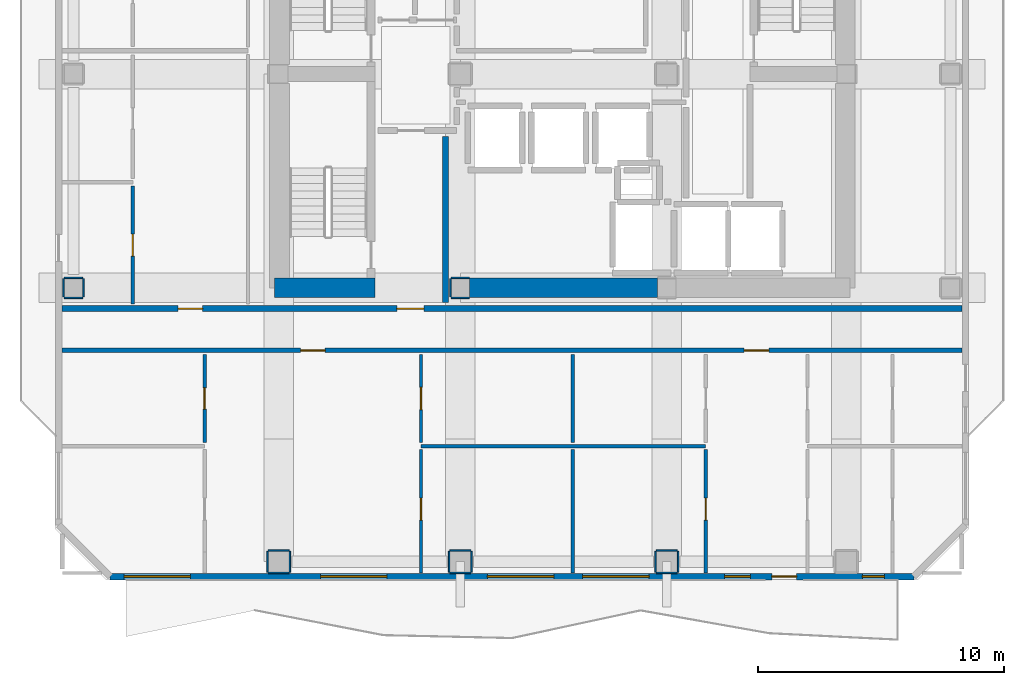
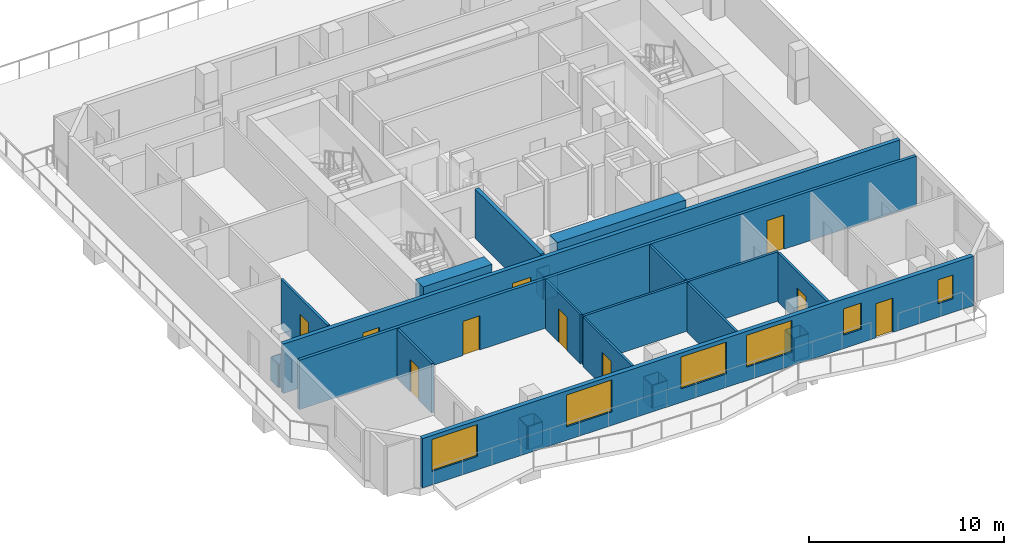
# One storey, part 2 of 10: 33 walls, 10 doors, 6 windows, 16 openings.
"""IFC4 building model written with IfcOpenShell, lengths in metres."""

import ifcopenshell
import ifcopenshell.guid

model = None  # the IFC model being written
_history = None  # IfcOwnerHistory: only IFC2X3 demands one
_inside = {}  # id of a spatial element -> (the spatial element, [elements in it])
_under = {}  # id of a project, library or spatial element -> (it, [spatial elements below it])
_declared = {}  # id of a project -> (the project, [libraries it declares])
_typed = {}  # id of a type object -> (the type object, [elements of that type])
_made_of = {}  # id of a material, layer set ... -> (it, [elements and type objects made of it])


def new_model(schema):
    """Start an empty IFC model of exactly this schema.

    Asked for "IFC4X3", IfcOpenShell would pick the latest addendum, in which some entities
    have other attributes; the version numbers below select the first issue.
    IFC2X3 requires an IfcOwnerHistory on every rooted entity: one is made here for all.
    """
    global model, _history
    if schema == "IFC4X3":
        model = ifcopenshell.file(schema_version=(4, 3, 0, 0))
    else:
        model = ifcopenshell.file(schema=schema)
    _inside.clear()
    _under.clear()
    _declared.clear()
    _typed.clear()
    _made_of.clear()
    _history = None
    if model.schema == "IFC2X3":
        org = make("IfcOrganization", Name="unknown")
        user = make(
            "IfcPersonAndOrganization",
            ThePerson=make("IfcPerson", FamilyName="unknown"),
            TheOrganization=org,
        )
        app = make(
            "IfcApplication",
            ApplicationDeveloper=org,
            Version="unknown",
            ApplicationFullName="unknown",
            ApplicationIdentifier="unknown",
        )
        _history = make(
            "IfcOwnerHistory",
            OwningUser=user,
            OwningApplication=app,
            ChangeAction="ADDED",
            CreationDate=0,
        )
    return model


def make(cls, **values):
    """One entity of the class cls with the attributes given. An attribute that is None is left unset."""
    return model.create_entity(
        cls, **{name: value for name, value in values.items() if value is not None}
    )


def rooted(cls, **values):
    """An entity with a GlobalId (a new one), such as an element, a storey or a relation."""
    return make(cls, GlobalId=ifcopenshell.guid.new(), OwnerHistory=_history, **values)


def si_unit(unit_type, name, prefix=None):
    """IfcSIUnit, for example si_unit("LENGTHUNIT", "METRE", prefix="MILLI")."""
    return make("IfcSIUnit", UnitType=unit_type, Prefix=prefix, Name=name)


def assignment(units):
    """IfcUnitAssignment: the units of a project."""
    return None if units is None else make("IfcUnitAssignment", Units=units)


def point(xyz):
    """IfcCartesianPoint."""
    return None if xyz is None else make("IfcCartesianPoint", Coordinates=xyz)


def direction(xyz):
    """IfcDirection."""
    return None if xyz is None else make("IfcDirection", DirectionRatios=xyz)


def frame(location, z_axis=None, x_axis=None):
    """IfcAxis2Placement3D, a coordinate frame: its origin and axes. An axis left out is left unset."""
    return make(
        "IfcAxis2Placement3D",
        Location=point(location),
        Axis=direction(z_axis),
        RefDirection=direction(x_axis),
    )


def frame_2d(location, x_axis=None):
    """IfcAxis2Placement2D, a coordinate frame in the plane: its origin and x axis."""
    return make(
        "IfcAxis2Placement2D", Location=point(location), RefDirection=direction(x_axis)
    )


def origin():
    """The frame at (0, 0, 0) with its axes left unset."""
    return frame((0.0, 0.0, 0.0))


def place(relative_to, where):
    """IfcLocalPlacement: puts the frame where relative to a parent placement (None: the world)."""
    return make(
        "IfcLocalPlacement", PlacementRelTo=relative_to, RelativePlacement=where
    )


def context(
    kind, dimensions, precision=None, world=None, true_north=None, identifier=None
):
    """IfcGeometricRepresentationContext, for example the 3D "Model" context."""
    return make(
        "IfcGeometricRepresentationContext",
        ContextIdentifier=identifier,
        ContextType=kind,
        CoordinateSpaceDimension=dimensions,
        Precision=precision,
        WorldCoordinateSystem=world,
        TrueNorth=true_north,
    )


def subcontext(parent, identifier, kind, view, scale=None):
    """IfcGeometricRepresentationSubContext, for example "Body" below "Model"."""
    return make(
        "IfcGeometricRepresentationSubContext",
        ContextIdentifier=identifier,
        ContextType=kind,
        ParentContext=parent,
        TargetScale=scale,
        TargetView=view,
    )


def project(units=None, contexts=None):
    """IfcProject with its units and contexts."""
    return rooted(
        "IfcProject",
        Name="project",
        RepresentationContexts=contexts,
        UnitsInContext=assignment(units),
    )


def spatial(cls, under=None, at=None, **own):
    """A site, building, storey or space (cls), placed at a placement, below another one or the project."""
    s = rooted(cls, ObjectPlacement=at, **own)
    if under is not None:
        _under.setdefault(under.id(), (under, []))[1].append(s)
    return s


def profile(cls, at=None, kind="AREA", **sizes):
    """A parametric profile (cls). Its sizes go by their IFC names, for example OverallWidth=200.0."""
    return make(cls, ProfileType=kind, Position=at, **sizes)


def rectangle(**sizes):
    """IfcRectangleProfileDef."""
    return profile("IfcRectangleProfileDef", **sizes)


def extrude(swept, where, along, depth):
    """IfcExtrudedAreaSolid: the profile swept, set in the frame where, extruded along a direction by depth."""
    return make(
        "IfcExtrudedAreaSolid",
        SweptArea=swept,
        Position=where,
        ExtrudedDirection=direction(along),
        Depth=depth,
    )


def shape(context_of_items, identifier, shape_type, items):
    """IfcShapeRepresentation: the items that make up one representation, for example the "Body"."""
    return make(
        "IfcShapeRepresentation",
        ContextOfItems=context_of_items,
        RepresentationIdentifier=identifier,
        RepresentationType=shape_type,
        Items=items,
    )


def material(Name=None, Category=None):
    """IfcMaterial."""
    return make("IfcMaterial", Name=Name, Category=Category)


def layer(
    of_material, thickness, ventilated=None, Name=None, Category=None, Priority=None
):
    """IfcMaterialLayer: one layer of a wall or slab, of a material (None: an air gap)."""
    return make(
        "IfcMaterialLayer",
        Material=of_material,
        LayerThickness=thickness,
        IsVentilated=ventilated,
        Name=Name,
        Category=Category,
        Priority=Priority,
    )


def layer_set(layers, Name=None):
    """IfcMaterialLayerSet."""
    return make("IfcMaterialLayerSet", MaterialLayers=layers, LayerSetName=Name)


def made_of(thing, what):
    """Note that an element or type object is made of a material, layer set ...; save() writes the relation."""
    if what is not None:
        _made_of.setdefault(what.id(), (what, []))[1].append(thing)
    return thing


def type_object(cls, material=None, **own):
    """A type object (cls), such as IfcWallType, which elements share."""
    return made_of(rooted(cls, **own), material)


def element(
    cls,
    number,
    at=None,
    inside=None,
    cuts=None,
    type_object=None,
    material=None,
    context=None,
    identifier="Body",
    shape_type=None,
    held_by="IfcProductDefinitionShape",
    body=None,
    shapes=None,
    **own,
):
    """One element of the class cls, such as IfcWall. Its Tag is "e" and its number.

    at: its placement. inside: the storey or other place that contains it. cuts: it is an
    opening in that element (IfcRelVoidsElement). A single representation is given by context,
    identifier, shape_type and body (its items); several are given by shapes. held_by: the class
    of the entity that holds the representations. save() writes the other relations.
    """
    e = rooted(cls, Tag="e%d" % number, ObjectPlacement=at, **own)
    if body is not None:
        shapes = [shape(context, identifier, shape_type, body)]
    if shapes is not None:
        e.Representation = make(held_by, Representations=shapes)
    if inside is not None:
        _inside.setdefault(inside.id(), (inside, []))[1].append(e)
    if cuts is not None:
        rooted(
            "IfcRelVoidsElement", RelatingBuildingElement=cuts, RelatedOpeningElement=e
        )
    if type_object is not None:
        _typed.setdefault(type_object.id(), (type_object, []))[1].append(e)
    return made_of(e, material)


def fill(opening, filler):
    """IfcRelFillsElement: the door or window that sits in an opening."""
    return rooted(
        "IfcRelFillsElement",
        RelatingOpeningElement=opening,
        RelatedBuildingElement=filler,
    )


def aggregate(whole, parts):
    """IfcRelAggregates: a whole, such as a stair, and the parts it consists of."""
    return rooted("IfcRelAggregates", RelatingObject=whole, RelatedObjects=parts)


def save(model, path):
    """Write the relations noted so far, then the file.

    IfcRelAggregates (storeys below a building ...), IfcRelContainedInSpatialStructure (elements
    in a storey), IfcRelDefinesByType, IfcRelAssociatesMaterial and IfcRelDeclares: one each for
    every whole, place, type object, material and project.
    """
    for whole, parts in _under.values():
        aggregate(whole, parts)
    for where, things in _inside.values():
        rooted(
            "IfcRelContainedInSpatialStructure",
            RelatedElements=things,
            RelatingStructure=where,
        )
    for kind, things in _typed.values():
        rooted("IfcRelDefinesByType", RelatedObjects=things, RelatingType=kind)
    for what, things in _made_of.values():
        rooted("IfcRelAssociatesMaterial", RelatedObjects=things, RelatingMaterial=what)
    for by, libraries in _declared.values():
        rooted("IfcRelDeclares", RelatingContext=by, RelatedDefinitions=libraries)
    model.write(path)


model = new_model("IFC4")

# Units and contexts
model_context = context("Model", 3, precision=1e-05, world=origin(), true_north=direction((0.0, 1.0)))
body_context = subcontext(model_context, "Body", "Model", "MODEL_VIEW")
ifc_project = project(units=[si_unit("LENGTHUNIT", "METRE"), si_unit("AREAUNIT", "SQUARE_METRE"), si_unit("VOLUMEUNIT", "CUBIC_METRE"), si_unit("PLANEANGLEUNIT", "RADIAN"), si_unit("MASSUNIT", "GRAM", prefix="KILO")], contexts=[model_context])

# Site, building, storey
site_placement = place(None, origin())
site = spatial("IfcSite", under=ifc_project, at=site_placement, CompositionType="ELEMENT")
building_placement = place(site_placement, origin())
building = spatial("IfcBuilding", under=site, at=building_placement, Name="Solanera Arch Residences", CompositionType="ELEMENT")
storey_placement = place(building_placement, frame((0.0, 0.0, 190.159912109375)))
storey = spatial("IfcBuildingStorey", under=building, at=storey_placement, Name="L55", CompositionType="ELEMENT", Elevation=190.159912109375)

# Walls
ifc_material_1 = material(Name="Fire-Rated Gypsum Stud Partition", Category="gypsum")
ifc_layer_1 = layer(ifc_material_1, 0.06005859375)
ifc_layer_set_1 = layer_set([ifc_layer_1], Name="Fire-Rated Gypsum Stud Partition")
wall_type_1 = type_object("IfcWallType", Name="Column Acoustic Furring Wall 60", PredefinedType="PARTITIONING", material=ifc_layer_set_1)
for number, where, z_axis, x_axis, name in (
    (1, (20.425048828125, 21.593017578125, 0.0), (0.0, 0.0, 1.0), (1.0, 0.0, 0.0), "L55 Column Furring 1S"),
    (2, (20.425048828125, 22.406982421875, 0.0), (0.0, 0.0, 1.0), (1.0, 0.0, 0.0), "L55 Column Furring 1N"),
):
    element("IfcWall", number, at=place(storey_placement, frame(where, z_axis=z_axis, x_axis=x_axis)), inside=storey, type_object=wall_type_1, Name=name, PredefinedType="PARTITIONING", context=body_context, shape_type="SweptSolid", body=[
        extrude(rectangle(XDim=0.741943359375, YDim=0.06005859375, at=frame_2d((0.37109375, 0.0))), origin(), (0.0, 0.0, 1.0), 1.4501953125),
    ])
wall_1_placement = place(storey_placement, frame((20.39306640625, 21.625, 0.0), z_axis=(0.0, 0.0, 1.0), x_axis=(0.0, 1.0, 0.0)))
element("IfcWall", 3, at=wall_1_placement, inside=storey, type_object=wall_type_1, Name="L55 Column Furring 1W", PredefinedType="PARTITIONING", context=body_context, shape_type="SweptSolid", body=[
    extrude(rectangle(XDim=0.75, YDim=0.06005859375, at=frame_2d((0.375, 0.0))), origin(), (0.0, 0.0, 1.0), 1.4501953125),
])
for number, where, z_axis, x_axis, name in (
    (4, (12.97509765625, 10.39306640625, 0.0), (0.0, 0.0, 1.0), (1.0, 0.0, 0.0), "L55 Column Furring 9S"),
    (5, (12.97509765625, 11.306884765625, 0.0), (0.0, 0.0, 1.0), (1.0, 0.0, 0.0), "L55 Column Furring 9N"),
    (6, (12.943115234375, 10.425048828125, 0.0), (0.0, 0.0, 1.0), (0.0, 1.0, 0.0), "L55 Column Furring 9W"),
    (7, (13.85693359375, 10.425048828125, 0.0), (0.0, 0.0, 1.0), (0.0, 1.0, 0.0), "L55 Column Furring 9E"),
):
    element("IfcWall", number, at=place(storey_placement, frame(where, z_axis=z_axis, x_axis=x_axis)), inside=storey, type_object=wall_type_1, Name=name, PredefinedType="PARTITIONING", context=body_context, shape_type="SweptSolid", body=[
        extrude(rectangle(XDim=0.849853515625, YDim=0.06005859375, at=frame_2d((0.4248046875, 0.0))), origin(), (0.0, 0.0, 1.0), 1.4501953125),
    ])
for number, where, z_axis, x_axis, name in (
    (8, (20.375, 10.39306640625, 0.0), (0.0, 0.0, 1.0), (1.0, 0.0, 0.0), "L55 Column Furring 11S"),
    (9, (20.375, 11.306884765625, 0.0), (0.0, 0.0, 1.0), (1.0, 0.0, 0.0), "L55 Column Furring 11N"),
):
    element("IfcWall", number, at=place(storey_placement, frame(where, z_axis=z_axis, x_axis=x_axis)), inside=storey, type_object=wall_type_1, Name=name, PredefinedType="PARTITIONING", context=body_context, shape_type="SweptSolid", body=[
        extrude(rectangle(XDim=0.85009765625, YDim=0.06005859375, at=frame_2d((0.425048828125, 0.0))), origin(), (0.0, 0.0, 1.0), 1.4501953125),
    ])
for number, where, z_axis, x_axis, name in (
    (10, (20.343017578125, 10.425048828125, 0.0), (0.0, 0.0, 1.0), (0.0, 1.0, 0.0), "L55 Column Furring 11W"),
    (11, (21.257080078125, 10.425048828125, 0.0), (0.0, 0.0, 1.0), (0.0, 1.0, 0.0), "L55 Column Furring 11E"),
):
    element("IfcWall", number, at=place(storey_placement, frame(where, z_axis=z_axis, x_axis=x_axis)), inside=storey, type_object=wall_type_1, Name=name, PredefinedType="PARTITIONING", context=body_context, shape_type="SweptSolid", body=[
        extrude(rectangle(XDim=0.849853515625, YDim=0.06005859375, at=frame_2d((0.4248046875, 0.0))), origin(), (0.0, 0.0, 1.0), 1.4501953125),
    ])
for number, where, z_axis, x_axis, name in (
    (12, (28.77490234375, 10.39306640625, 0.0), (0.0, 0.0, 1.0), (1.0, 0.0, 0.0), "L55 Column Furring 13S"),
    (13, (28.77490234375, 11.306884765625, 0.0), (0.0, 0.0, 1.0), (1.0, 0.0, 0.0), "L55 Column Furring 13N"),
):
    element("IfcWall", number, at=place(storey_placement, frame(where, z_axis=z_axis, x_axis=x_axis)), inside=storey, type_object=wall_type_1, Name=name, PredefinedType="PARTITIONING", context=body_context, shape_type="SweptSolid", body=[
        extrude(rectangle(XDim=0.85009765625, YDim=0.06005859375, at=frame_2d((0.425048828125, 0.0))), origin(), (0.0, 0.0, 1.0), 1.4501953125),
    ])
for number, where, z_axis, x_axis, name in (
    (14, (28.742919921875, 10.425048828125, 0.0), (0.0, 0.0, 1.0), (0.0, 1.0, 0.0), "L55 Column Furring 13W"),
    (15, (29.656982421875, 10.425048828125, 0.0), (0.0, 0.0, 1.0), (0.0, 1.0, 0.0), "L55 Column Furring 13E"),
):
    element("IfcWall", number, at=place(storey_placement, frame(where, z_axis=z_axis, x_axis=x_axis)), inside=storey, type_object=wall_type_1, Name=name, PredefinedType="PARTITIONING", context=body_context, shape_type="SweptSolid", body=[
        extrude(rectangle(XDim=0.849853515625, YDim=0.06005859375, at=frame_2d((0.4248046875, 0.0))), origin(), (0.0, 0.0, 1.0), 1.4501953125),
    ])
for number, where, z_axis, x_axis, name in (
    (16, (4.675048828125, 21.593017578125, 0.0), (0.0, 0.0, 1.0), (1.0, 0.0, 0.0), "L55 Column Furring 17S"),
    (17, (4.675048828125, 22.406982421875, 0.0), (0.0, 0.0, 1.0), (1.0, 0.0, 0.0), "L55 Column Furring 17N"),
    (18, (4.64306640625, 21.625, 0.0), (0.0, 0.0, 1.0), (0.0, 1.0, 0.0), "L55 Column Furring 17W"),
    (19, (5.45703125, 21.625, 0.0), (0.0, 0.0, 1.0), (0.0, 1.0, 0.0), "L55 Column Furring 17E"),
):
    element("IfcWall", number, at=place(storey_placement, frame(where, z_axis=z_axis, x_axis=x_axis)), inside=storey, type_object=wall_type_1, Name=name, PredefinedType="PARTITIONING", context=body_context, shape_type="SweptSolid", body=[
        extrude(rectangle(XDim=0.75, YDim=0.06005859375, at=frame_2d((0.375, 0.0))), origin(), (0.0, 0.0, 1.0), 1.4501953125),
    ])
ifc_material_2 = material(Name="Concrete C40/50 (f'c = 45 MPa)", Category="concrete")
ifc_layer_2 = layer(ifc_material_2, 0.800048828125)
ifc_layer_set_2 = layer_set([ifc_layer_2], Name="Concrete C40/50 (f'c = 45 MPa)")
wall_type_2 = type_object("IfcWallType", Name="Core Shear Wall CW-800", PredefinedType="SHEAR", material=ifc_layer_set_2)
wall_2_placement = place(storey_placement, frame((13.239990234375, 22.0, 0.0), z_axis=(0.0, 0.0, 1.0), x_axis=(1.0, 0.0, 0.0)))
element("IfcWall", 20, at=wall_2_placement, inside=storey, type_object=wall_type_2, Name="L55 South-West Core Shear Wall", PredefinedType="SHEAR", context=body_context, shape_type="SweptSolid", body=[
    extrude(rectangle(XDim=4.080078125, YDim=0.800048828125, at=frame_2d((2.0400390625, 0.0))), origin(), (0.0, 0.0, 1.0), 3.320068359375),
])
wall_3_placement = place(storey_placement, frame((21.179931640625, 22.0, 0.0), z_axis=(0.0, 0.0, 1.0), x_axis=(1.0, 0.0, 0.0)))
element("IfcWall", 21, at=wall_3_placement, inside=storey, type_object=wall_type_2, Name="L55 Central South Core Shear Wall", PredefinedType="SHEAR", context=body_context, shape_type="SweptSolid", body=[
    extrude(rectangle(XDim=7.64013671875, YDim=0.800048828125, at=frame_2d((3.820068359375, 0.0))), origin(), (0.0, 0.0, 1.0), 3.320068359375),
])

# Wall, openings, doors
ifc_material_3 = material(Name="Autoclaved Aerated Concrete Blockwork", Category="masonry")
ifc_layer_3 = layer(ifc_material_3, 0.179931640625)
ifc_layer_set_3 = layer_set([ifc_layer_3], Name="Autoclaved Aerated Concrete Blockwork")
wall_type_3 = type_object("IfcWallType", Name="Corridor Fire Partition 180", PredefinedType="PARTITIONING", material=ifc_layer_set_3)
wall_4_placement = place(storey_placement, frame((4.5869140625, 19.449951171875, 0.0), z_axis=(0.0, 0.0, 1.0), x_axis=(1.0, 0.0, 0.0)))
wall_4 = element("IfcWall", 22, at=wall_4_placement, inside=storey, type_object=wall_type_3, Name="L55 Interior Partition H7", PredefinedType="PARTITIONING", context=body_context, shape_type="SweptSolid", body=[
    extrude(rectangle(XDim=36.6259765625, YDim=0.179931640625, at=frame_2d((18.31298828125, 0.0))), origin(), (0.0, 0.0, 1.0), 3.10009765625),
])
opening_1_placement = place(wall_4_placement, frame((9.70703125, 0.0, 0.0)))
opening_1 = element("IfcOpeningElement", 23, at=opening_1_placement, cuts=wall_4, Name="Opening DI-01", PredefinedType="OPENING", context=body_context, shape_type="SweptSolid", body=[
    extrude(rectangle(XDim=1.0, YDim=2.14990234375, at=frame_2d((0.5, 1.074951171875))), frame((0.0, 0.10009765625, 0.0), z_axis=(0.0, -1.0, 0.0), x_axis=(1.0, 0.0, 0.0)), (0.0, 0.0, 1.0), 0.1999),
])
opening_2_placement = place(wall_4_placement, frame((27.762939453125, 0.0, 0.0)))
opening_2 = element("IfcOpeningElement", 24, at=opening_2_placement, cuts=wall_4, Name="Opening DI-01", PredefinedType="OPENING", context=body_context, shape_type="SweptSolid", body=[
    extrude(rectangle(XDim=1.0, YDim=2.14990234375, at=frame_2d((0.5, 1.074951171875))), frame((0.0, 0.10009765625, 0.0), z_axis=(0.0, -1.0, 0.0), x_axis=(1.0, 0.0, 0.0)), (0.0, 0.0, 1.0), 0.1999),
])
ifc_material_4 = material(Name="Fire-Rated Architectural Hardwood", Category="wood")
door_type_1 = type_object("IfcDoorType", Name="Unit Entrance Fire Door DI-01", OperationType="NOTDEFINED", PredefinedType="DOOR", material=ifc_material_4)
door_1_placement = place(opening_1_placement, origin())
door_1 = element("IfcDoor", 25, at=door_1_placement, inside=storey, type_object=door_type_1, Name="DR-L55-IN-014", OperationType="SINGLE_SWING_LEFT", OverallHeight=2.14990234375, OverallWidth=1.0, PredefinedType="DOOR", context=body_context, shape_type="SweptSolid", body=[
    extrude(rectangle(XDim=1.0, YDim=2.14990234375, at=frame_2d((0.5, 1.074951171875))), frame((0.0, 0.02490234375, 0.0), z_axis=(0.0, -1.0, 0.0), x_axis=(1.0, 0.0, 0.0)), (0.0, 0.0, 1.0), 0.050048828125),
])
fill(opening_1, door_1)
door_2_placement = place(opening_2_placement, origin())
door_2 = element("IfcDoor", 26, at=door_2_placement, inside=storey, type_object=door_type_1, Name="DR-L55-IN-019", OperationType="SINGLE_SWING_RIGHT", OverallHeight=2.14990234375, OverallWidth=1.0, PredefinedType="DOOR", context=body_context, shape_type="SweptSolid", body=[
    extrude(rectangle(XDim=1.0, YDim=2.14990234375, at=frame_2d((0.5, 1.074951171875))), frame((0.0, 0.02490234375, 0.0), z_axis=(0.0, -1.0, 0.0), x_axis=(1.0, 0.0, 0.0)), (0.0, 0.0, 1.0), 0.050048828125),
])
fill(opening_2, door_2)

# Wall, openings, door, windows
ifc_material_5 = material(Name="Precast Concrete C35/45", Category="concrete")
ifc_layer_4 = layer(ifc_material_5, 0.260009765625)
ifc_layer_set_4 = layer_set([ifc_layer_4], Name="Precast Concrete C35/45")
wall_type_4 = type_object("IfcWallType", Name="Exterior Wall Precast Masonry-Frame 260", PredefinedType="STANDARD", material=ifc_layer_set_4)
wall_5_placement = place(storey_placement, frame((39.2548828125, 10.2451171875, 0.0), z_axis=(0.0, 0.0, 1.0), x_axis=(-1.0, 0.0, 0.0)))
wall_5 = element("IfcWall", 27, at=wall_5_placement, inside=storey, type_object=wall_type_4, Name="L55 Tower Exterior Precast Masonry-Frame Wall S", PredefinedType="STANDARD", context=body_context, shape_type="SweptSolid", body=[
    extrude(rectangle(XDim=32.7099609375, YDim=0.260009765625, at=frame_2d((16.35498046875, 0.0))), origin(), (0.0, 0.0, 1.0), 3.10009765625),
])
opening_3_placement = place(wall_5_placement, frame((4.77587890625, 0.0, 0.0)))
opening_3 = element("IfcOpeningElement", 28, at=opening_3_placement, cuts=wall_5, Name="Opening DB-01", PredefinedType="OPENING", context=body_context, shape_type="SweptSolid", body=[
    extrude(rectangle(XDim=1.0, YDim=2.14990234375, at=frame_2d((0.5, 1.074951171875))), frame((0.0, 0.139892578125, 0.0), z_axis=(0.0, -1.0, 0.0), x_axis=(1.0, 0.0, 0.0)), (0.0, 0.0, 1.0), 0.28),
])
opening_4_placement = place(wall_5_placement, frame((21.443115234375, 0.0, 0.85009765625)))
opening_4 = element("IfcOpeningElement", 29, at=opening_4_placement, cuts=wall_5, Name="Opening W-09", PredefinedType="OPENING", context=body_context, shape_type="SweptSolid", body=[
    extrude(rectangle(XDim=2.699951171875, YDim=2.0, at=frame_2d((1.35009765625, 1.0))), frame((0.0, 0.139892578125, 0.0), z_axis=(0.0, -1.0, 0.0), x_axis=(1.0, 0.0, 0.0)), (0.0, 0.0, 1.0), 0.28),
])
opening_5_placement = place(wall_5_placement, frame((29.443115234375, 0.0, 0.85009765625)))
opening_5 = element("IfcOpeningElement", 30, at=opening_5_placement, cuts=wall_5, Name="Opening W-09", PredefinedType="OPENING", context=body_context, shape_type="SweptSolid", body=[
    extrude(rectangle(XDim=2.699951171875, YDim=2.0, at=frame_2d((1.35009765625, 1.0))), frame((0.0, 0.139892578125, 0.0), z_axis=(0.0, -1.0, 0.0), x_axis=(1.0, 0.0, 0.0)), (0.0, 0.0, 1.0), 0.28),
])
opening_6_placement = place(wall_5_placement, frame((14.653076171875, 0.0, 0.85009765625)))
opening_6 = element("IfcOpeningElement", 31, at=opening_6_placement, cuts=wall_5, Name="Opening W-09", PredefinedType="OPENING", context=body_context, shape_type="SweptSolid", body=[
    extrude(rectangle(XDim=2.699951171875, YDim=2.0, at=frame_2d((1.35009765625, 1.0))), frame((0.0, 0.139892578125, 0.0), z_axis=(0.0, -1.0, 0.0), x_axis=(1.0, 0.0, 0.0)), (0.0, 0.0, 1.0), 0.28),
])
opening_7_placement = place(wall_5_placement, frame((6.64990234375, 0.0, 0.85009765625)))
opening_7 = element("IfcOpeningElement", 32, at=opening_7_placement, cuts=wall_5, Name="Opening W-07", PredefinedType="OPENING", context=body_context, shape_type="SweptSolid", body=[
    extrude(rectangle(XDim=1.050048828125, YDim=1.64990234375, at=frame_2d((0.52490234375, 0.824951171875))), frame((0.0, 0.139892578125, 0.0), z_axis=(0.0, -1.0, 0.0), x_axis=(1.0, 0.0, 0.0)), (0.0, 0.0, 1.0), 0.28),
])
opening_8_placement = place(wall_5_placement, frame((10.779052734375, 0.0, 0.85009765625)))
opening_8 = element("IfcOpeningElement", 33, at=opening_8_placement, cuts=wall_5, Name="Opening W-09", PredefinedType="OPENING", context=body_context, shape_type="SweptSolid", body=[
    extrude(rectangle(XDim=2.699951171875, YDim=2.0, at=frame_2d((1.35009765625, 1.0))), frame((0.0, 0.139892578125, 0.0), z_axis=(0.0, -1.0, 0.0), x_axis=(1.0, 0.0, 0.0)), (0.0, 0.0, 1.0), 0.28),
])
opening_9_placement = place(wall_5_placement, frame((1.197998046875, 0.0, 0.85009765625)))
opening_9 = element("IfcOpeningElement", 34, at=opening_9_placement, cuts=wall_5, Name="Opening W-06", PredefinedType="OPENING", context=body_context, shape_type="SweptSolid", body=[
    extrude(rectangle(XDim=0.89990234375, YDim=1.5, at=frame_2d((0.449951171875, 0.75))), frame((0.0, 0.139892578125, 0.0), z_axis=(0.0, -1.0, 0.0), x_axis=(1.0, 0.0, 0.0)), (0.0, 0.0, 1.0), 0.28),
])
ifc_material_6 = material(Name="Anodised Aluminium Alloy 6063-T6", Category="aluminium")
door_type_2 = type_object("IfcDoorType", Name="Glazed Balcony Swing Door DB-01", OperationType="NOTDEFINED", PredefinedType="DOOR", material=ifc_material_6)
door_3_placement = place(opening_3_placement, origin())
door_3 = element("IfcDoor", 35, at=door_3_placement, inside=storey, type_object=door_type_2, Name="DR-L55-OUT-04", OperationType="SINGLE_SWING_RIGHT", OverallHeight=2.14990234375, OverallWidth=1.0, PredefinedType="DOOR", context=body_context, shape_type="SweptSolid", body=[
    extrude(rectangle(XDim=1.0, YDim=2.14990234375, at=frame_2d((0.5, 1.074951171875))), frame((0.0, 0.02490234375, 0.0), z_axis=(0.0, -1.0, 0.0), x_axis=(1.0, 0.0, 0.0)), (0.0, 0.0, 1.0), 0.050048828125),
])
fill(opening_3, door_3)
ifc_material_7 = material(Name="Double Glazed Low-E Laminated Glass", Category="glass")
window_type_1 = type_object("IfcWindowType", Name="Punched Window W-06", PartitioningType="SINGLE_PANEL", PredefinedType="WINDOW", material=ifc_material_7)
window_1_placement = place(opening_9_placement, origin())
window_1 = element("IfcWindow", 36, at=window_1_placement, inside=storey, type_object=window_type_1, Name="L55 5502-BR2 Punched Window", OverallHeight=1.5, OverallWidth=0.89990234375, PartitioningType="SINGLE_PANEL", PredefinedType="WINDOW", context=body_context, shape_type="SweptSolid", body=[
    extrude(rectangle(XDim=0.89990234375, YDim=1.5, at=frame_2d((0.449951171875, 0.75))), frame((0.0, 0.030029296875, 0.0), z_axis=(0.0, -1.0, 0.0), x_axis=(1.0, 0.0, 0.0)), (0.0, 0.0, 1.0), 0.06005859375),
])
fill(opening_9, window_1)
ifc_material_8 = material(Name="Double Glazed Low-E Laminated Glass", Category="glass")
window_type_2 = type_object("IfcWindowType", Name="Punched Window W-07", PartitioningType="SINGLE_PANEL", PredefinedType="WINDOW", material=ifc_material_8)
window_2_placement = place(opening_7_placement, origin())
window_2 = element("IfcWindow", 37, at=window_2_placement, inside=storey, type_object=window_type_2, Name="L55 5502-LIV Punched Window", OverallHeight=1.64990234375, OverallWidth=1.050048828125, PartitioningType="SINGLE_PANEL", PredefinedType="WINDOW", context=body_context, shape_type="SweptSolid", body=[
    extrude(rectangle(XDim=1.050048828125, YDim=1.64990234375, at=frame_2d((0.52490234375, 0.824951171875))), frame((0.0, 0.030029296875, 0.0), z_axis=(0.0, -1.0, 0.0), x_axis=(1.0, 0.0, 0.0)), (0.0, 0.0, 1.0), 0.06005859375),
])
fill(opening_7, window_2)
ifc_material_9 = material(Name="Double Glazed Low-E Laminated Glass", Category="glass")
window_type_3 = type_object("IfcWindowType", Name="Punched Window W-09", PartitioningType="TRIPLE_PANEL_VERTICAL", PredefinedType="WINDOW", material=ifc_material_9)
window_3_placement = place(opening_4_placement, origin())
window_3 = element("IfcWindow", 38, at=window_3_placement, inside=storey, type_object=window_type_3, Name="L55 5501-LIV Punched Window", OverallHeight=2.0, OverallWidth=2.699951171875, PartitioningType="SINGLE_PANEL", PredefinedType="WINDOW", context=body_context, shape_type="SweptSolid", body=[
    extrude(rectangle(XDim=2.699951171875, YDim=2.0, at=frame_2d((1.35009765625, 1.0))), frame((0.0, 0.030029296875, 0.0), z_axis=(0.0, -1.0, 0.0), x_axis=(1.0, 0.0, 0.0)), (0.0, 0.0, 1.0), 0.06005859375),
])
fill(opening_4, window_3)
window_4_placement = place(opening_5_placement, origin())
window_4 = element("IfcWindow", 39, at=window_4_placement, inside=storey, type_object=window_type_3, Name="L55 5501-BR1 Punched Window", OverallHeight=2.0, OverallWidth=2.699951171875, PartitioningType="SINGLE_PANEL", PredefinedType="WINDOW", context=body_context, shape_type="SweptSolid", body=[
    extrude(rectangle(XDim=2.699951171875, YDim=2.0, at=frame_2d((1.35009765625, 1.0))), frame((0.0, 0.030029296875, 0.0), z_axis=(0.0, -1.0, 0.0), x_axis=(1.0, 0.0, 0.0)), (0.0, 0.0, 1.0), 0.06005859375),
])
fill(opening_5, window_4)
window_5_placement = place(opening_6_placement, origin())
window_5 = element("IfcWindow", 40, at=window_5_placement, inside=storey, type_object=window_type_3, Name="L55 5501-BR2 Punched Window", OverallHeight=2.0, OverallWidth=2.699951171875, PartitioningType="SINGLE_PANEL", PredefinedType="WINDOW", context=body_context, shape_type="SweptSolid", body=[
    extrude(rectangle(XDim=2.699951171875, YDim=2.0, at=frame_2d((1.35009765625, 1.0))), frame((0.0, 0.030029296875, 0.0), z_axis=(0.0, -1.0, 0.0), x_axis=(1.0, 0.0, 0.0)), (0.0, 0.0, 1.0), 0.06005859375),
])
fill(opening_6, window_5)
window_6_placement = place(opening_8_placement, origin())
window_6 = element("IfcWindow", 41, at=window_6_placement, inside=storey, type_object=window_type_3, Name="L55 5502-BR1 Punched Window", OverallHeight=2.0, OverallWidth=2.699951171875, PartitioningType="SINGLE_PANEL", PredefinedType="WINDOW", context=body_context, shape_type="SweptSolid", body=[
    extrude(rectangle(XDim=2.699951171875, YDim=2.0, at=frame_2d((1.35009765625, 1.0))), frame((0.0, 0.030029296875, 0.0), z_axis=(0.0, -1.0, 0.0), x_axis=(1.0, 0.0, 0.0)), (0.0, 0.0, 1.0), 0.06005859375),
])
fill(opening_8, window_6)

# Wall, openings, doors
ifc_material_10 = material(Name="Autoclaved Aerated Concrete Blockwork", Category="masonry")
ifc_layer_5 = layer(ifc_material_10, 0.239990234375)
ifc_layer_set_5 = layer_set([ifc_layer_5], Name="Autoclaved Aerated Concrete Blockwork")
wall_type_5 = type_object("IfcWallType", Name="Shaft Wall Fire-Rated 240", PredefinedType="PARTITIONING", material=ifc_layer_set_5)
wall_6_placement = place(storey_placement, frame((4.5869140625, 21.14990234375, 0.0), z_axis=(0.0, 0.0, 1.0), x_axis=(1.0, 0.0, 0.0)))
wall_6 = element("IfcWall", 42, at=wall_6_placement, inside=storey, type_object=wall_type_5, Name="L55 Interior Partition H1", PredefinedType="PARTITIONING", context=body_context, shape_type="SweptSolid", body=[
    extrude(rectangle(XDim=36.6259765625, YDim=0.239990234375, at=frame_2d((18.31298828125, 0.0))), origin(), (0.0, 0.0, 1.0), 3.10009765625),
])
opening_10_placement = place(wall_6_placement, frame((13.623046875, 0.0, 0.0)))
opening_10 = element("IfcOpeningElement", 43, at=opening_10_placement, cuts=wall_6, Name="Opening DF-02", PredefinedType="OPENING", context=body_context, shape_type="SweptSolid", body=[
    extrude(rectangle(XDim=1.10009765625, YDim=2.14990234375, at=frame_2d((0.550048828125, 1.074951171875))), frame((0.0, 0.1298828125, 0.0), z_axis=(0.0, -1.0, 0.0), x_axis=(1.0, 0.0, 0.0)), (0.0, 0.0, 1.0), 0.26),
])
opening_11_placement = place(wall_6_placement, frame((4.722900390625, 0.0, 0.0)))
opening_11 = element("IfcOpeningElement", 44, at=opening_11_placement, cuts=wall_6, Name="Opening DI-01", PredefinedType="OPENING", context=body_context, shape_type="SweptSolid", body=[
    extrude(rectangle(XDim=1.0, YDim=2.14990234375, at=frame_2d((0.5, 1.074951171875))), frame((0.0, 0.1298828125, 0.0), z_axis=(0.0, -1.0, 0.0), x_axis=(1.0, 0.0, 0.0)), (0.0, 0.0, 1.0), 0.26),
])
ifc_material_11 = material(Name="Fire-Rated Architectural Hardwood", Category="wood")
door_type_3 = type_object("IfcDoorType", Name="Firefighting Lobby Fire Door DF-02", OperationType="NOTDEFINED", PredefinedType="DOOR", material=ifc_material_11)
door_4_placement = place(opening_10_placement, origin())
door_4 = element("IfcDoor", 45, at=door_4_placement, inside=storey, type_object=door_type_3, Name="DR-L55-IN-008", OperationType="SINGLE_SWING_LEFT", OverallHeight=2.14990234375, OverallWidth=1.10009765625, PredefinedType="DOOR", context=body_context, shape_type="SweptSolid", body=[
    extrude(rectangle(XDim=1.10009765625, YDim=2.14990234375, at=frame_2d((0.550048828125, 1.074951171875))), frame((0.0, 0.02490234375, 0.0), z_axis=(0.0, -1.0, 0.0), x_axis=(1.0, 0.0, 0.0)), (0.0, 0.0, 1.0), 0.050048828125),
])
fill(opening_10, door_4)
door_5_placement = place(opening_11_placement, origin())
door_5 = element("IfcDoor", 46, at=door_5_placement, inside=storey, type_object=door_type_1, Name="DR-L55-IN-030", OperationType="SINGLE_SWING_LEFT", OverallHeight=2.14990234375, OverallWidth=1.0, PredefinedType="DOOR", context=body_context, shape_type="SweptSolid", body=[
    extrude(rectangle(XDim=1.0, YDim=2.14990234375, at=frame_2d((0.5, 1.074951171875))), frame((0.0, 0.02490234375, 0.0), z_axis=(0.0, -1.0, 0.0), x_axis=(1.0, 0.0, 0.0)), (0.0, 0.0, 1.0), 0.050048828125),
])
fill(opening_11, door_5)

# Wall
wall_7_placement = place(storey_placement, frame((20.199951171875, 21.39794921875, 0.0), z_axis=(0.0, 0.0, 1.0), x_axis=(0.0, 1.0, 0.0)))
element("IfcWall", 47, at=wall_7_placement, inside=storey, type_object=wall_type_5, Name="L55 Interior Partition V2", PredefinedType="PARTITIONING", context=body_context, shape_type="SweptSolid", body=[
    extrude(rectangle(XDim=6.754150390625, YDim=0.239990234375, at=frame_2d((3.376953125, 0.0))), origin(), (0.0, 0.0, 1.0), 3.10009765625),
])

# Wall, opening, door
ifc_material_12 = material(Name="Fire-Rated Gypsum Stud Partition", Category="gypsum")
ifc_layer_6 = layer(ifc_material_12, 0.1201171875)
ifc_layer_set_6 = layer_set([ifc_layer_6], Name="Fire-Rated Gypsum Stud Partition")
wall_type_6 = type_object("IfcWallType", Name="Unit Drywall Partition 120", PredefinedType="PARTITIONING", material=ifc_layer_set_6)
wall_8_placement = place(storey_placement, frame((19.198974609375, 10.386962890625, 0.0), z_axis=(0.0, 0.0, 1.0), x_axis=(0.0, 1.0, 0.0)))
wall_8 = element("IfcWall", 48, at=wall_8_placement, inside=storey, type_object=wall_type_6, Name="L55 Interior Partition V17 1", PredefinedType="PARTITIONING", context=body_context, shape_type="SweptSolid", body=[
    extrude(rectangle(XDim=5.033935546875, YDim=0.1201171875, at=frame_2d((2.51708984375, 0.0))), origin(), (0.0, 0.0, 1.0), 3.10009765625),
])
opening_12_placement = place(wall_8_placement, frame((2.155029296875, 0.0, 0.0)))
opening_12 = element("IfcOpeningElement", 49, at=opening_12_placement, cuts=wall_8, Name="Opening DI-03", PredefinedType="OPENING", context=body_context, shape_type="SweptSolid", body=[
    extrude(rectangle(XDim=0.89990234375, YDim=2.10009765625, at=frame_2d((0.449951171875, 1.050048828125))), frame((0.0, 0.070068359375, 0.0), z_axis=(0.0, -1.0, 0.0), x_axis=(1.0, 0.0, 0.0)), (0.0, 0.0, 1.0), 0.1401),
])
ifc_material_13 = material(Name="Fire-Rated Architectural Hardwood", Category="wood")
door_type_4 = type_object("IfcDoorType", Name="Bedroom Swing Door DI-03", OperationType="NOTDEFINED", PredefinedType="DOOR", material=ifc_material_13)
door_6_placement = place(opening_12_placement, origin())
door_6 = element("IfcDoor", 50, at=door_6_placement, inside=storey, type_object=door_type_4, Name="DR-L55-IN-018", OperationType="SINGLE_SWING_LEFT", OverallHeight=2.10009765625, OverallWidth=0.89990234375, PredefinedType="DOOR", context=body_context, shape_type="SweptSolid", body=[
    extrude(rectangle(XDim=0.89990234375, YDim=2.10009765625, at=frame_2d((0.449951171875, 1.050048828125))), frame((0.0, 0.02490234375, 0.0), z_axis=(0.0, -1.0, 0.0), x_axis=(1.0, 0.0, 0.0)), (0.0, 0.0, 1.0), 0.050048828125),
])
fill(opening_12, door_6)

wall_9_placement = place(storey_placement, frame((19.198974609375, 15.697021484375, 0.0), z_axis=(0.0, 0.0, 1.0), x_axis=(0.0, 1.0, 0.0)))
wall_9 = element("IfcWall", 51, at=wall_9_placement, inside=storey, type_object=wall_type_6, Name="L55 Interior Partition V17 2", PredefinedType="PARTITIONING", context=body_context, shape_type="SweptSolid", body=[
    extrude(rectangle(XDim=3.594970703125, YDim=0.1201171875, at=frame_2d((1.79736328125, 0.0))), origin(), (0.0, 0.0, 1.0), 3.10009765625),
])
opening_13_placement = place(wall_9_placement, frame((1.344970703125, 0.0, 0.0)))
opening_13 = element("IfcOpeningElement", 52, at=opening_13_placement, cuts=wall_9, Name="Opening DI-02", PredefinedType="OPENING", context=body_context, shape_type="SweptSolid", body=[
    extrude(rectangle(XDim=0.89990234375, YDim=2.10009765625, at=frame_2d((0.449951171875, 1.050048828125))), frame((0.0, 0.070068359375, 0.0), z_axis=(0.0, -1.0, 0.0), x_axis=(1.0, 0.0, 0.0)), (0.0, 0.0, 1.0), 0.1401),
])
ifc_material_14 = material(Name="Fire-Rated Architectural Hardwood", Category="wood")
door_type_5 = type_object("IfcDoorType", Name="Suite Room Swing Door DI-02", OperationType="NOTDEFINED", PredefinedType="DOOR", material=ifc_material_14)
door_7_placement = place(opening_13_placement, origin())
door_7 = element("IfcDoor", 53, at=door_7_placement, inside=storey, type_object=door_type_5, Name="DR-L55-IN-017", OperationType="SINGLE_SWING_RIGHT", OverallHeight=2.10009765625, OverallWidth=0.89990234375, PredefinedType="DOOR", context=body_context, shape_type="SweptSolid", body=[
    extrude(rectangle(XDim=0.89990234375, YDim=2.10009765625, at=frame_2d((0.449951171875, 1.050048828125))), frame((0.0, 0.02490234375, 0.0), z_axis=(0.0, -1.0, 0.0), x_axis=(1.0, 0.0, 0.0)), (0.0, 0.0, 1.0), 0.050048828125),
])
fill(opening_13, door_7)

# Wall
ifc_material_15 = material(Name="Autoclaved Aerated Concrete Blockwork", Category="masonry")
ifc_layer_7 = layer(ifc_material_15, 0.139892578125)
ifc_layer_set_7 = layer_set([ifc_layer_7], Name="Autoclaved Aerated Concrete Blockwork")
wall_type_7 = type_object("IfcWallType", Name="Wet-Room Partition 140", PredefinedType="PARTITIONING", material=ifc_layer_set_7)
wall_10_placement = place(storey_placement, frame((19.198974609375, 15.55908203125, 0.0), z_axis=(0.0, 0.0, 1.0), x_axis=(1.0, 0.0, 0.0)))
element("IfcWall", 54, at=wall_10_placement, inside=storey, type_object=wall_type_7, Name="L55 Interior Partition H15", PredefinedType="PARTITIONING", context=body_context, shape_type="SweptSolid", body=[
    extrude(rectangle(XDim=11.5810546875, YDim=0.139892578125, at=frame_2d((5.79052734375, 0.0))), origin(), (0.0, 0.0, 1.0), 3.10009765625),
])

# Wall, opening, door
wall_11_placement = place(storey_placement, frame((7.468994140625, 21.347900390625, 0.0), z_axis=(0.0, 0.0, 1.0), x_axis=(0.0, 1.0, 0.0)))
wall_11 = element("IfcWall", 55, at=wall_11_placement, inside=storey, type_object=wall_type_7, Name="L55 Interior Partition V12 1", PredefinedType="PARTITIONING", context=body_context, shape_type="SweptSolid", body=[
    extrude(rectangle(XDim=4.80419921875, YDim=0.139892578125, at=frame_2d((2.402099609375, 0.0))), origin(), (0.0, 0.0, 1.0), 3.10009765625),
])
opening_14_placement = place(wall_11_placement, frame((1.93994140625, 0.0, 0.0)))
opening_14 = element("IfcOpeningElement", 56, at=opening_14_placement, cuts=wall_11, Name="Opening DI-02", PredefinedType="OPENING", context=body_context, shape_type="SweptSolid", body=[
    extrude(rectangle(XDim=0.89990234375, YDim=2.10009765625, at=frame_2d((0.449951171875, 1.050048828125))), frame((0.0, 0.079833984375, 0.0), z_axis=(0.0, -1.0, 0.0), x_axis=(1.0, 0.0, 0.0)), (0.0, 0.0, 1.0), 0.1599),
])
door_8_placement = place(opening_14_placement, origin())
door_8 = element("IfcDoor", 57, at=door_8_placement, inside=storey, type_object=door_type_5, Name="DR-L55-IN-031", OperationType="SINGLE_SWING_RIGHT", OverallHeight=2.10009765625, OverallWidth=0.89990234375, PredefinedType="DOOR", context=body_context, shape_type="SweptSolid", body=[
    extrude(rectangle(XDim=0.89990234375, YDim=2.10009765625, at=frame_2d((0.449951171875, 1.050048828125))), frame((0.0, 0.02490234375, 0.0), z_axis=(0.0, -1.0, 0.0), x_axis=(1.0, 0.0, 0.0)), (0.0, 0.0, 1.0), 0.050048828125),
])
fill(opening_14, door_8)

wall_12_placement = place(storey_placement, frame((10.388916015625, 15.70703125, 0.0), z_axis=(0.0, 0.0, 1.0), x_axis=(0.0, 1.0, 0.0)))
wall_12 = element("IfcWall", 58, at=wall_12_placement, inside=storey, type_object=wall_type_7, Name="L55 Interior Partition V13 3", PredefinedType="PARTITIONING", context=body_context, shape_type="SweptSolid", body=[
    extrude(rectangle(XDim=3.574951171875, YDim=0.139892578125, at=frame_2d((1.78759765625, 0.0))), origin(), (0.0, 0.0, 1.0), 3.10009765625),
])
opening_15_placement = place(wall_12_placement, frame((1.35498046875, 0.0, 0.0)))
opening_15 = element("IfcOpeningElement", 59, at=opening_15_placement, cuts=wall_12, Name="Opening DI-05", PredefinedType="OPENING", context=body_context, shape_type="SweptSolid", body=[
    extrude(rectangle(XDim=0.860107421875, YDim=2.02001953125, at=frame_2d((0.43017578125, 1.010009765625))), frame((0.0, 0.079833984375, 0.0), z_axis=(0.0, -1.0, 0.0), x_axis=(1.0, 0.0, 0.0)), (0.0, 0.0, 1.0), 0.1599),
])
ifc_material_16 = material(Name="Fire-Rated Architectural Hardwood", Category="wood")
door_type_6 = type_object("IfcDoorType", Name="Bathroom Swing Door DI-05", OperationType="NOTDEFINED", PredefinedType="DOOR", material=ifc_material_16)
door_9_placement = place(opening_15_placement, origin())
door_9 = element("IfcDoor", 60, at=door_9_placement, inside=storey, type_object=door_type_6, Name="DR-L55-IN-015", OperationType="SINGLE_SWING_RIGHT", OverallHeight=2.02001953125, OverallWidth=0.860107421875, PredefinedType="DOOR", context=body_context, shape_type="SweptSolid", body=[
    extrude(rectangle(XDim=0.860107421875, YDim=2.02001953125, at=frame_2d((0.43017578125, 1.010009765625))), frame((0.0, 0.02490234375, 0.0), z_axis=(0.0, -1.0, 0.0), x_axis=(1.0, 0.0, 0.0)), (0.0, 0.0, 1.0), 0.050048828125),
])
fill(opening_15, door_9)

# Walls
wall_13_placement = place(storey_placement, frame((25.3779296875, 10.386962890625, 0.0), z_axis=(0.0, 0.0, 1.0), x_axis=(0.0, 1.0, 0.0)))
element("IfcWall", 61, at=wall_13_placement, inside=storey, type_object=wall_type_7, Name="L55 Interior Partition V14 1", PredefinedType="PARTITIONING", context=body_context, shape_type="SweptSolid", body=[
    extrude(rectangle(XDim=5.02392578125, YDim=0.139892578125, at=frame_2d((2.511962890625, 0.0))), origin(), (0.0, 0.0, 1.0), 3.10009765625),
])
wall_14_placement = place(storey_placement, frame((25.3779296875, 15.70703125, 0.0), z_axis=(0.0, 0.0, 1.0), x_axis=(0.0, 1.0, 0.0)))
element("IfcWall", 62, at=wall_14_placement, inside=storey, type_object=wall_type_7, Name="L55 Interior Partition V14 2", PredefinedType="PARTITIONING", context=body_context, shape_type="SweptSolid", body=[
    extrude(rectangle(XDim=3.574951171875, YDim=0.139892578125, at=frame_2d((1.78759765625, 0.0))), origin(), (0.0, 0.0, 1.0), 3.10009765625),
])

# Wall, opening, door
wall_15_placement = place(storey_placement, frame((30.780029296875, 10.386962890625, 0.0), z_axis=(0.0, 0.0, 1.0), x_axis=(0.0, 1.0, 0.0)))
wall_15 = element("IfcWall", 63, at=wall_15_placement, inside=storey, type_object=wall_type_7, Name="L55 Interior Partition V15 1", PredefinedType="PARTITIONING", context=body_context, shape_type="SweptSolid", body=[
    extrude(rectangle(XDim=5.02392578125, YDim=0.139892578125, at=frame_2d((2.511962890625, 0.0))), origin(), (0.0, 0.0, 1.0), 3.10009765625),
])
opening_16_placement = place(wall_15_placement, frame((2.155029296875, 0.0, 0.0)))
opening_16 = element("IfcOpeningElement", 64, at=opening_16_placement, cuts=wall_15, Name="Opening DI-03", PredefinedType="OPENING", context=body_context, shape_type="SweptSolid", body=[
    extrude(rectangle(XDim=0.89990234375, YDim=2.10009765625, at=frame_2d((0.449951171875, 1.050048828125))), frame((0.0, 0.079833984375, 0.0), z_axis=(0.0, -1.0, 0.0), x_axis=(1.0, 0.0, 0.0)), (0.0, 0.0, 1.0), 0.1599),
])
door_10_placement = place(opening_16_placement, origin())
door_10 = element("IfcDoor", 65, at=door_10_placement, inside=storey, type_object=door_type_4, Name="DR-L55-IN-021", OperationType="SINGLE_SWING_RIGHT", OverallHeight=2.10009765625, OverallWidth=0.89990234375, PredefinedType="DOOR", context=body_context, shape_type="SweptSolid", body=[
    extrude(rectangle(XDim=0.89990234375, YDim=2.10009765625, at=frame_2d((0.449951171875, 1.050048828125))), frame((0.0, 0.02490234375, 0.0), z_axis=(0.0, -1.0, 0.0), x_axis=(1.0, 0.0, 0.0)), (0.0, 0.0, 1.0), 0.050048828125),
])
fill(opening_16, door_10)

save(model, "model.ifc")
